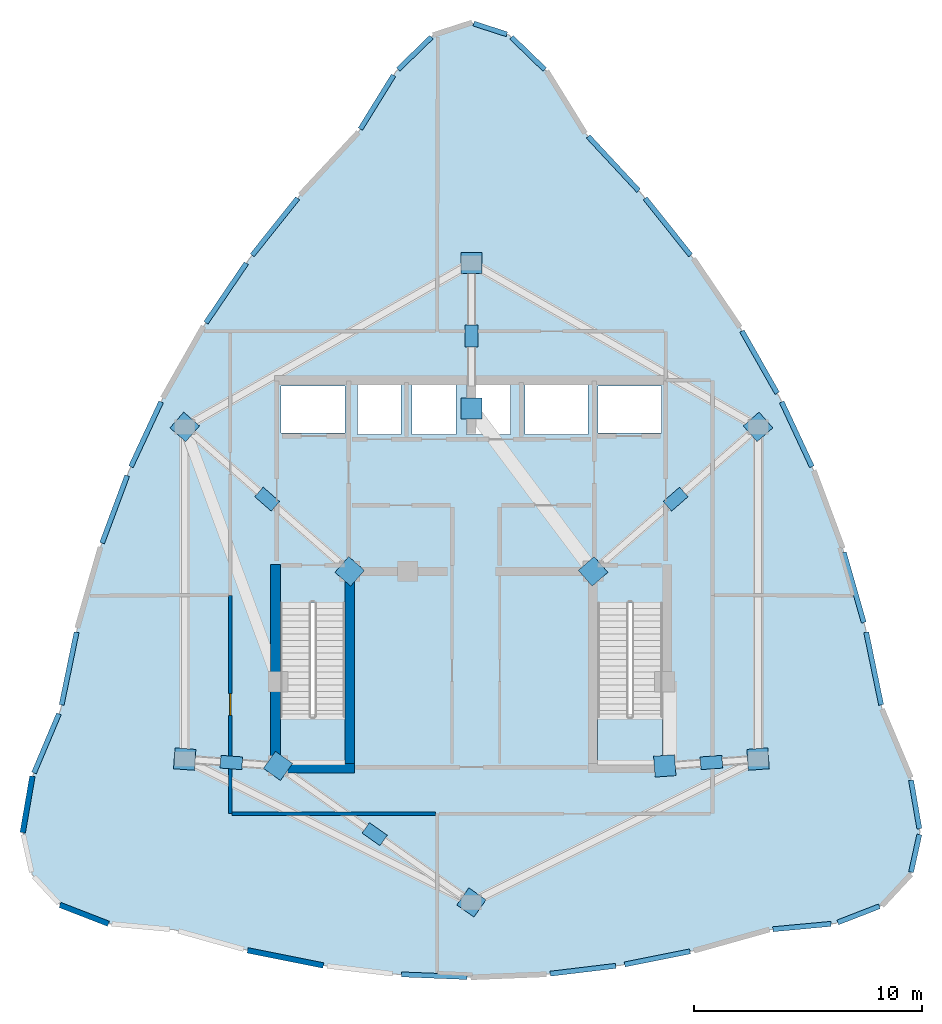
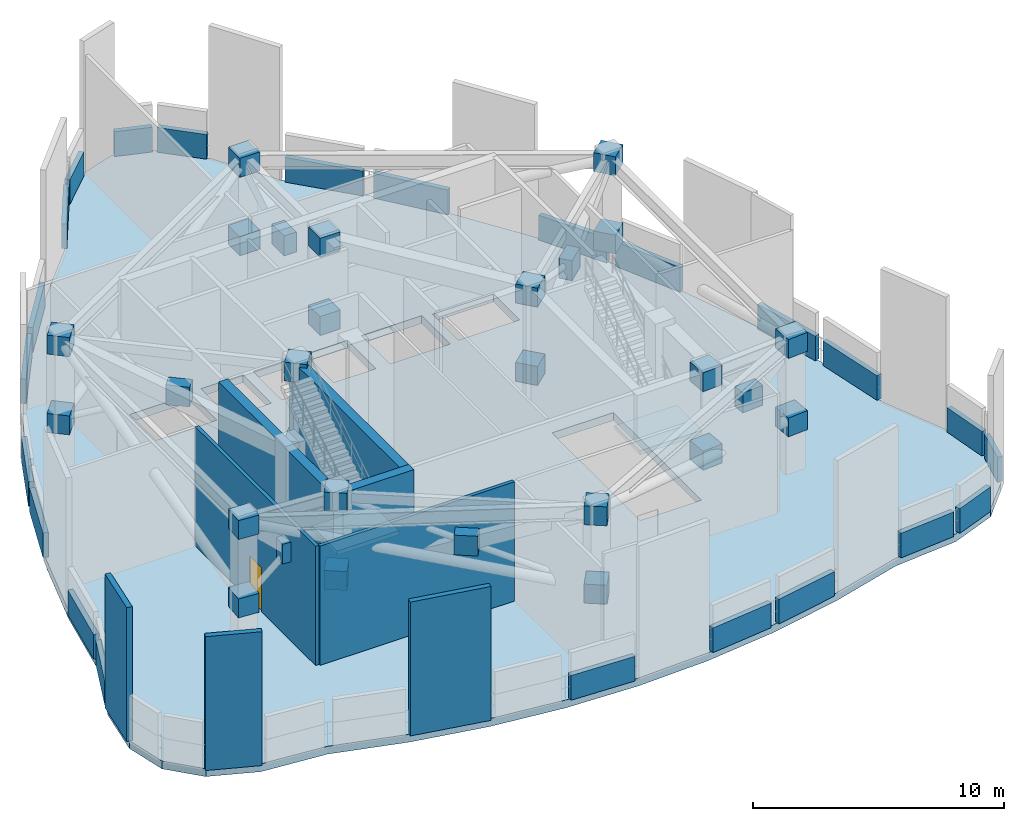
# One storey, part 2 of 8: 51 plates, 8 walls, 3 slabs, 1 door, 1 opening, 2 elements without a shape of their own.
"""IFC4 building model written with IfcOpenShell, lengths in metres."""

from ifc_helpers import new_model, si_unit, direction, frame, frame_2d, origin, origin_2d, place, context, subcontext, project, spatial, polyline, rectangle, outline, extrude, material, layer, layer_set, type_object, element, fill, aggregate, save


model = new_model("IFC4")

# Units and contexts
model_context = context("Model", 3, precision=1e-05, world=origin(), true_north=direction((0.0, 1.0)))
body_context = subcontext(model_context, "Body", "Model", "MODEL_VIEW")
ifc_project = project(units=[si_unit("LENGTHUNIT", "METRE"), si_unit("AREAUNIT", "SQUARE_METRE"), si_unit("VOLUMEUNIT", "CUBIC_METRE"), si_unit("PLANEANGLEUNIT", "RADIAN"), si_unit("MASSUNIT", "GRAM", prefix="KILO")], contexts=[model_context])

# Site, building, storey
site_placement = place(None, origin())
site = spatial("IfcSite", under=ifc_project, at=site_placement, CompositionType="ELEMENT")
building_placement = place(site_placement, origin())
building = spatial("IfcBuilding", under=site, at=building_placement, Name="Miruveldt Soraemaru", CompositionType="ELEMENT")
storey_placement = place(building_placement, frame((0.0, 0.0, 282.800048828125)))
storey = spatial("IfcBuildingStorey", under=building, at=storey_placement, Name="L77", CompositionType="ELEMENT", Elevation=282.800048828125)

# Plates
ifc_material_1 = material(Name="Steel S460 (460 MPa)", Category="steel")
ifc_layer_1 = layer(ifc_material_1, 0.028076171875, Name="Steel S460 (460 MPa)", Category="steel")
ifc_layer_set_1 = layer_set([ifc_layer_1], Name="Steel S460 (460 MPa)")
plate_type_1 = type_object("IfcPlateType", Name="PLT-GUSSET-28", PredefinedType="USERDEFINED", material=ifc_layer_set_1)
plate_1_placement = place(storey_placement, frame((44.0, 54.39990234375, 3.844970703125), z_axis=(0.0, 0.0, 1.0), x_axis=(0.0, 1.0, 0.0)))
element("IfcPlate", 1, at=plate_1_placement, inside=storey, type_object=plate_type_1, Name="L77 Outrigger X-Brace Crossing Gusset Plate 1", ObjectType="GUSSET", PredefinedType="USERDEFINED", context=body_context, shape_type="SweptSolid", body=[
    extrude(rectangle(XDim=0.9599609375, YDim=0.56005859375, at=origin_2d()), origin(), (0.0, 0.0, 1.0), 0.9599609375),
])
for number, where, z_axis, x_axis, name in (
    (2, (44.0, 51.199951171875, 1.9599609375), (0.0, 0.0, 1.0), (0.0, 1.0, 0.0), "L77 Outrigger Node Gusset Plate 1CB"),
    (3, (44.0, 51.199951171875, 5.77001953125), (0.0, 0.0, 1.0), (0.0, 1.0, 0.0), "L77 Outrigger Node Gusset Plate 1CT"),
    (4, (44.0, 57.60009765625, 1.9599609375), (0.0, 0.0, 1.0), (0.0, 1.0, 0.0), "L77 Outrigger Node Gusset Plate 1IB"),
    (5, (44.0, 57.60009765625, 5.77001953125), (0.0, 0.0, 1.0), (0.0, 1.0, 0.0), "L77 Outrigger Node Gusset Plate 1IT"),
):
    element("IfcPlate", number, at=place(storey_placement, frame(where, z_axis=z_axis, x_axis=x_axis)), inside=storey, type_object=plate_type_1, Name=name, ObjectType="GUSSET", PredefinedType="USERDEFINED", context=body_context, shape_type="SweptSolid", body=[
        extrude(rectangle(XDim=0.919921875, YDim=0.919921875, at=origin_2d()), origin(), (0.0, 0.0, 1.0), 0.919921875),
    ])
plate_2_placement = place(storey_placement, frame((52.97509765625, 47.22509765625, 3.844970703125), z_axis=(0.0, 0.0, 1.0), x_axis=(0.752299934438, 0.658820771261, 0.0)))
element("IfcPlate", 6, at=plate_2_placement, inside=storey, type_object=plate_type_1, Name="L77 Outrigger X-Brace Crossing Gusset Plate 2", ObjectType="GUSSET", PredefinedType="USERDEFINED", context=body_context, shape_type="SweptSolid", body=[
    extrude(rectangle(XDim=0.9599609375, YDim=0.56005859375, at=origin_2d()), origin(), (0.0, 0.0, 1.0), 0.9599609375),
])
for number, where, z_axis, x_axis, name in (
    (7, (49.35009765625, 44.050048828125, 1.9599609375), (0.0, 0.0, 1.0), (0.752299934438, 0.658820771261, 0.0), "L77 Outrigger Node Gusset Plate 2CB"),
    (8, (49.35009765625, 44.050048828125, 5.77001953125), (0.0, 0.0, 1.0), (0.752299934438, 0.658820771261, 0.0), "L77 Outrigger Node Gusset Plate 2CT"),
    (9, (56.60009765625, 50.39990234375, 1.9599609375), (0.0, 0.0, 1.0), (0.752299934438, 0.658820771261, 0.0), "L77 Outrigger Node Gusset Plate 2IB"),
    (10, (56.60009765625, 50.39990234375, 5.77001953125), (0.0, 0.0, 1.0), (0.752299934438, 0.658820771261, 0.0), "L77 Outrigger Node Gusset Plate 2IT"),
):
    element("IfcPlate", number, at=place(storey_placement, frame(where, z_axis=z_axis, x_axis=x_axis)), inside=storey, type_object=plate_type_1, Name=name, ObjectType="GUSSET", PredefinedType="USERDEFINED", context=body_context, shape_type="SweptSolid", body=[
        extrude(rectangle(XDim=0.919921875, YDim=0.919921875, at=origin_2d()), origin(), (0.0, 0.0, 1.0), 0.919921875),
    ])
plate_3_placement = place(storey_placement, frame((54.550048828125, 35.64990234375, 3.844970703125), z_axis=(0.0, 0.0, 1.0), x_axis=(0.997339981418, 0.072890064247, 0.0)))
element("IfcPlate", 11, at=plate_3_placement, inside=storey, type_object=plate_type_1, Name="L77 Outrigger X-Brace Crossing Gusset Plate 3", ObjectType="GUSSET", PredefinedType="USERDEFINED", context=body_context, shape_type="SweptSolid", body=[
    extrude(rectangle(XDim=0.9599609375, YDim=0.56005859375, at=origin_2d()), origin(), (0.0, 0.0, 1.0), 0.9599609375),
])
for number, where, z_axis, x_axis, name in (
    (12, (52.5, 35.5, 1.9599609375), (0.0, 0.0, 1.0), (0.997339981418, 0.072890064247, 0.0), "L77 Outrigger Node Gusset Plate 3CB"),
    (13, (52.5, 35.5, 5.77001953125), (0.0, 0.0, 1.0), (0.997339981418, 0.072890064247, 0.0), "L77 Outrigger Node Gusset Plate 3CT"),
    (14, (56.60009765625, 35.800048828125, 1.9599609375), (0.0, 0.0, 1.0), (0.997339981418, 0.072890064247, 0.0), "L77 Outrigger Node Gusset Plate 3IB"),
    (15, (56.60009765625, 35.800048828125, 5.77001953125), (0.0, 0.0, 1.0), (0.997339981418, 0.072890064247, 0.0), "L77 Outrigger Node Gusset Plate 3IT"),
):
    element("IfcPlate", number, at=place(storey_placement, frame(where, z_axis=z_axis, x_axis=x_axis)), inside=storey, type_object=plate_type_1, Name=name, ObjectType="GUSSET", PredefinedType="USERDEFINED", context=body_context, shape_type="SweptSolid", body=[
        extrude(rectangle(XDim=0.919921875, YDim=0.919921875, at=origin_2d()), origin(), (0.0, 0.0, 1.0), 0.919921875),
    ])
plate_4_placement = place(storey_placement, frame((39.75, 32.5, 3.844970703125), z_axis=(0.0, 0.0, 1.0), x_axis=(0.816943635719, -0.576717518425, 0.0)))
element("IfcPlate", 16, at=plate_4_placement, inside=storey, type_object=plate_type_1, Name="L77 Outrigger X-Brace Crossing Gusset Plate 4", ObjectType="GUSSET", PredefinedType="USERDEFINED", context=body_context, shape_type="SweptSolid", body=[
    extrude(rectangle(XDim=0.9599609375, YDim=0.56005859375, at=origin_2d()), origin(), (0.0, 0.0, 1.0), 0.9599609375),
])
for number, where, z_axis, x_axis, name in (
    (17, (35.5, 35.5, 1.9599609375), (0.0, 0.0, 1.0), (0.816943635719, -0.576717518425, 0.0), "L77 Outrigger Node Gusset Plate 4CB"),
    (18, (35.5, 35.5, 5.77001953125), (0.0, 0.0, 1.0), (0.816943635719, -0.576717518425, 0.0), "L77 Outrigger Node Gusset Plate 4CT"),
    (19, (44.0, 29.5, 1.9599609375), (0.0, 0.0, 1.0), (0.816943635719, -0.576717518425, 0.0), "L77 Outrigger Node Gusset Plate 4IB"),
    (20, (44.0, 29.5, 5.77001953125), (0.0, 0.0, 1.0), (0.816943635719, -0.576717518425, 0.0), "L77 Outrigger Node Gusset Plate 4IT"),
):
    element("IfcPlate", number, at=place(storey_placement, frame(where, z_axis=z_axis, x_axis=x_axis)), inside=storey, type_object=plate_type_1, Name=name, ObjectType="GUSSET", PredefinedType="USERDEFINED", context=body_context, shape_type="SweptSolid", body=[
        extrude(rectangle(XDim=0.919921875, YDim=0.919921875, at=origin_2d()), origin(), (0.0, 0.0, 1.0), 0.919921875),
    ])
plate_5_placement = place(storey_placement, frame((33.449951171875, 35.64990234375, 3.844970703125), z_axis=(0.0, 0.0, 1.0), x_axis=(-0.997339981418, 0.072890064247, 0.0)))
element("IfcPlate", 21, at=plate_5_placement, inside=storey, type_object=plate_type_1, Name="L77 Outrigger X-Brace Crossing Gusset Plate 5", ObjectType="GUSSET", PredefinedType="USERDEFINED", context=body_context, shape_type="SweptSolid", body=[
    extrude(rectangle(XDim=0.9599609375, YDim=0.56005859375, at=origin_2d()), origin(), (0.0, 0.0, 1.0), 0.9599609375),
])
for number, where, z_axis, x_axis, name in (
    (22, (31.39990234375, 35.800048828125, 1.9599609375), (0.0, 0.0, 1.0), (-0.997339981418, 0.072890064247, 0.0), "L77 Outrigger Node Gusset Plate 5IB"),
    (23, (31.39990234375, 35.800048828125, 5.77001953125), (0.0, 0.0, 1.0), (-0.997339981418, 0.072890064247, 0.0), "L77 Outrigger Node Gusset Plate 5IT"),
):
    element("IfcPlate", number, at=place(storey_placement, frame(where, z_axis=z_axis, x_axis=x_axis)), inside=storey, type_object=plate_type_1, Name=name, ObjectType="GUSSET", PredefinedType="USERDEFINED", context=body_context, shape_type="SweptSolid", body=[
        extrude(rectangle(XDim=0.919921875, YDim=0.919921875, at=origin_2d()), origin(), (0.0, 0.0, 1.0), 0.919921875),
    ])
plate_6_placement = place(storey_placement, frame((35.02490234375, 47.22509765625, 3.844970703125), z_axis=(0.0, 0.0, 1.0), x_axis=(-0.752299934438, 0.658820771261, 0.0)))
element("IfcPlate", 24, at=plate_6_placement, inside=storey, type_object=plate_type_1, Name="L77 Outrigger X-Brace Crossing Gusset Plate 6", ObjectType="GUSSET", PredefinedType="USERDEFINED", context=body_context, shape_type="SweptSolid", body=[
    extrude(rectangle(XDim=0.9599609375, YDim=0.56005859375, at=origin_2d()), origin(), (0.0, 0.0, 1.0), 0.9599609375),
])
for number, where, z_axis, x_axis, name in (
    (25, (38.64990234375, 44.050048828125, 1.9599609375), (0.0, 0.0, 1.0), (-0.752299934438, 0.658820771261, 0.0), "L77 Outrigger Node Gusset Plate 6CB"),
    (26, (38.64990234375, 44.050048828125, 5.77001953125), (0.0, 0.0, 1.0), (-0.752299934438, 0.658820771261, 0.0), "L77 Outrigger Node Gusset Plate 6CT"),
    (27, (31.39990234375, 50.39990234375, 1.9599609375), (0.0, 0.0, 1.0), (-0.752299934438, 0.658820771261, 0.0), "L77 Outrigger Node Gusset Plate 6IB"),
    (28, (31.39990234375, 50.39990234375, 5.77001953125), (0.0, 0.0, 1.0), (-0.752299934438, 0.658820771261, 0.0), "L77 Outrigger Node Gusset Plate 6IT"),
):
    element("IfcPlate", number, at=place(storey_placement, frame(where, z_axis=z_axis, x_axis=x_axis)), inside=storey, type_object=plate_type_1, Name=name, ObjectType="GUSSET", PredefinedType="USERDEFINED", context=body_context, shape_type="SweptSolid", body=[
        extrude(rectangle(XDim=0.919921875, YDim=0.919921875, at=origin_2d()), origin(), (0.0, 0.0, 1.0), 0.919921875),
    ])
ifc_material_2 = material(Name="Anodised aluminium EN AW-6063 T6", Category="aluminium")
ifc_layer_2 = layer(ifc_material_2, 0.02001953125, Name="Anodised aluminium EN AW-6063 T6", Category="aluminium")
ifc_layer_set_2 = layer_set([ifc_layer_2], Name="Anodised aluminium EN AW-6063 T6")
plate_type_2 = type_object("IfcPlateType", Name="PLT-SHROUD-20", PredefinedType="USERDEFINED", material=ifc_layer_set_2)
plate_7_placement = place(storey_placement, frame((46.490234375, 66.8193359375, 0.0), z_axis=(0.0, 0.0, 1.0), x_axis=(-0.717810428625, 0.696238600306, 0.0)))
element("IfcPlate", 29, at=plate_7_placement, inside=storey, type_object=plate_type_2, Name="L77 Venturi Wind-Turbine Acoustic Shroud 2", ObjectType="ACOUSTIC SHROUD", PredefinedType="USERDEFINED", context=body_context, shape_type="SweptSolid", body=[
    extrude(rectangle(XDim=2.035400390625, YDim=0.219970703125, at=origin_2d()), origin(), (0.0, 0.0, 1.0), 1.199951171875),
])
plate_8_placement = place(storey_placement, frame((44.830078125, 67.892822265625, 0.0), z_axis=(0.0, 0.0, 1.0), x_axis=(-0.951508536618, 0.3076223411, 0.0)))
element("IfcPlate", 30, at=plate_8_placement, inside=storey, type_object=plate_type_2, Name="L77 Venturi Wind-Turbine Acoustic Shroud 3", ObjectType="ACOUSTIC SHROUD", PredefinedType="USERDEFINED", context=body_context, shape_type="SweptSolid", body=[
    extrude(rectangle(XDim=1.535400390625, YDim=0.219970703125, at=origin_2d()), origin(), (0.0, 0.0, 1.0), 1.199951171875),
])
plate_9_placement = place(storey_placement, frame((41.509765625, 66.8193359375, 0.0), z_axis=(0.0, 0.0, 1.0), x_axis=(-0.717810428625, -0.696238600306, 0.0)))
element("IfcPlate", 31, at=plate_9_placement, inside=storey, type_object=plate_type_2, Name="L77 Venturi Wind-Turbine Acoustic Shroud 5", ObjectType="ACOUSTIC SHROUD", PredefinedType="USERDEFINED", context=body_context, shape_type="SweptSolid", body=[
    extrude(rectangle(XDim=2.035400390625, YDim=0.219970703125, at=origin_2d()), origin(), (0.0, 0.0, 1.0), 1.199951171875),
])
plate_10_placement = place(storey_placement, frame((39.849609375, 64.67236328125, 0.0), z_axis=(0.0, 0.0, 1.0), x_axis=(-0.526065501177, -0.850444053699, 0.0)))
element("IfcPlate", 32, at=plate_10_placement, inside=storey, type_object=plate_type_2, Name="L77 Venturi Wind-Turbine Acoustic Shroud 6", ObjectType="ACOUSTIC SHROUD", PredefinedType="USERDEFINED", context=body_context, shape_type="SweptSolid", body=[
    extrude(rectangle(XDim=2.777099609375, YDim=0.219970703125, at=origin_2d()), origin(), (0.0, 0.0, 1.0), 1.199951171875),
])
plate_11_placement = place(storey_placement, frame((35.363037109375, 59.19580078125, 0.0), z_axis=(0.0, 0.0, 1.0), x_axis=(-0.623634044029, -0.781716431405, 0.0)))
element("IfcPlate", 33, at=plate_11_placement, inside=storey, type_object=plate_type_2, Name="L77 Venturi Wind-Turbine Acoustic Shroud 8", ObjectType="ACOUSTIC SHROUD", PredefinedType="USERDEFINED", context=body_context, shape_type="SweptSolid", body=[
    extrude(rectangle(XDim=3.201171875, YDim=0.219970703125, at=origin_2d()), origin(), (0.0, 0.0, 1.0), 1.199951171875),
])
plate_12_placement = place(storey_placement, frame((33.221435546875, 56.28662109375, 0.0), z_axis=(0.0, 0.0, 1.0), x_axis=(-0.560826861061, -0.827933108356, 0.0)))
element("IfcPlate", 34, at=plate_12_placement, inside=storey, type_object=plate_type_2, Name="L77 Venturi Wind-Turbine Acoustic Shroud 9", ObjectType="ACOUSTIC SHROUD", PredefinedType="USERDEFINED", context=body_context, shape_type="SweptSolid", body=[
    extrude(rectangle(XDim=3.16162109375, YDim=0.219970703125, at=origin_2d()), origin(), (0.0, 0.0, 1.0), 1.199951171875),
])
plate_13_placement = place(storey_placement, frame((29.698974609375, 50.075927734375, 0.0), z_axis=(0.0, 0.0, 1.0), x_axis=(-0.422301874901, -0.906455253421, 0.0)))
element("IfcPlate", 35, at=plate_13_placement, inside=storey, type_object=plate_type_2, Name="L77 Venturi Wind-Turbine Acoustic Shroud 11", ObjectType="ACOUSTIC SHROUD", PredefinedType="USERDEFINED", context=body_context, shape_type="SweptSolid", body=[
    extrude(rectangle(XDim=3.1416015625, YDim=0.219970703125, at=origin_2d()), origin(), (0.0, 0.0, 1.0), 1.199951171875),
])
plate_14_placement = place(storey_placement, frame((28.318115234375, 46.774658203125, 0.0), z_axis=(0.0, 0.0, 1.0), x_axis=(-0.349046403698, -0.937105441274, 0.0)))
element("IfcPlate", 36, at=plate_14_placement, inside=storey, type_object=plate_type_2, Name="L77 Venturi Wind-Turbine Acoustic Shroud 12", ObjectType="ACOUSTIC SHROUD", PredefinedType="USERDEFINED", context=body_context, shape_type="SweptSolid", body=[
    extrude(rectangle(XDim=3.16162109375, YDim=0.219970703125, at=origin_2d()), origin(), (0.0, 0.0, 1.0), 1.199951171875),
])
plate_15_placement = place(storey_placement, frame((26.3173828125, 39.77978515625, 0.0), z_axis=(0.0, 0.0, 1.0), x_axis=(-0.201556607891, -0.979476867422, 0.0)))
element("IfcPlate", 37, at=plate_15_placement, inside=storey, type_object=plate_type_2, Name="L77 Venturi Wind-Turbine Acoustic Shroud 14", ObjectType="ACOUSTIC SHROUD", PredefinedType="USERDEFINED", context=body_context, shape_type="SweptSolid", body=[
    extrude(rectangle(XDim=3.259765625, YDim=0.219970703125, at=origin_2d()), origin(), (0.0, 0.0, 1.0), 1.199951171875),
])
plate_16_placement = place(storey_placement, frame((25.321533203125, 36.489501953125, 0.0), z_axis=(0.0, 0.0, 1.0), x_axis=(-0.38860940249, -0.921402589695, 0.0)))
element("IfcPlate", 38, at=plate_16_placement, inside=storey, type_object=plate_type_2, Name="L77 Venturi Wind-Turbine Acoustic Shroud 15", ObjectType="ACOUSTIC SHROUD", PredefinedType="USERDEFINED", context=body_context, shape_type="SweptSolid", body=[
    extrude(rectangle(XDim=2.819580078125, YDim=0.219970703125, at=origin_2d()), origin(), (0.0, 0.0, 1.0), 1.199951171875),
])
plate_17_placement = place(storey_placement, frame((42.365478515625, 26.27734375, 0.0), z_axis=(0.0, 0.0, 1.0), x_axis=(0.999200686675, -0.03997483895, 0.0)))
element("IfcPlate", 39, at=plate_17_placement, inside=storey, type_object=plate_type_2, Name="L77 Venturi Wind-Turbine Acoustic Shroud 24", ObjectType="ACOUSTIC SHROUD", PredefinedType="USERDEFINED", context=body_context, shape_type="SweptSolid", body=[
    extrude(rectangle(XDim=2.87890625, YDim=0.219970703125, at=origin_2d()), origin(), (0.0, 0.0, 1.0), 1.199951171875),
])
plate_18_placement = place(storey_placement, frame((48.9033203125, 26.538818359375, 0.0), z_axis=(0.0, 0.0, 1.0), x_axis=(0.992876367296, 0.119149147143, 0.0)))
element("IfcPlate", 40, at=plate_18_placement, inside=storey, type_object=plate_type_2, Name="L77 Venturi Wind-Turbine Acoustic Shroud 26", ObjectType="ACOUSTIC SHROUD", PredefinedType="USERDEFINED", context=body_context, shape_type="SweptSolid", body=[
    extrude(rectangle(XDim=2.897216796875, YDim=0.219970703125, at=origin_2d()), origin(), (0.0, 0.0, 1.0), 1.199951171875),
])
plate_19_placement = place(storey_placement, frame((52.172119140625, 27.061767578125, 0.0), z_axis=(0.0, 0.0, 1.0), x_axis=(0.980583867301, 0.196100176415, 0.0)))
element("IfcPlate", 41, at=plate_19_placement, inside=storey, type_object=plate_type_2, Name="L77 Venturi Wind-Turbine Acoustic Shroud 27", ObjectType="ACOUSTIC SHROUD", PredefinedType="USERDEFINED", context=body_context, shape_type="SweptSolid", body=[
    extrude(rectangle(XDim=2.93359375, YDim=0.219970703125, at=origin_2d()), origin(), (0.0, 0.0, 1.0), 1.199951171875),
])
plate_20_placement = place(storey_placement, frame((58.528076171875, 28.438232421875, 0.0), z_axis=(0.0, 0.0, 1.0), x_axis=(0.995760092541, 0.091988249809, 0.0)))
element("IfcPlate", 42, at=plate_20_placement, inside=storey, type_object=plate_type_2, Name="L77 Venturi Wind-Turbine Acoustic Shroud 29", ObjectType="ACOUSTIC SHROUD", PredefinedType="USERDEFINED", context=body_context, shape_type="SweptSolid", body=[
    extrude(rectangle(XDim=2.5673828125, YDim=0.219970703125, at=origin_2d()), origin(), (0.0, 0.0, 1.0), 1.199951171875),
])
plate_21_placement = place(storey_placement, frame((61.018310546875, 28.974853515625, 0.0), z_axis=(0.0, 0.0, 1.0), x_axis=(0.932298552786, 0.361689657681, 0.0)))
element("IfcPlate", 43, at=plate_21_placement, inside=storey, type_object=plate_type_2, Name="L77 Venturi Wind-Turbine Acoustic Shroud 30", ObjectType="ACOUSTIC SHROUD", PredefinedType="USERDEFINED", context=body_context, shape_type="SweptSolid", body=[
    extrude(rectangle(XDim=1.958740234375, YDim=0.219970703125, at=origin_2d()), origin(), (0.0, 0.0, 1.0), 1.199951171875),
])
plate_22_placement = place(storey_placement, frame((63.50830078125, 31.65869140625, 0.0), z_axis=(0.0, 0.0, 1.0), x_axis=(0.215757978057, 0.976446872546, 0.0)))
element("IfcPlate", 44, at=plate_22_placement, inside=storey, type_object=plate_type_2, Name="L77 Venturi Wind-Turbine Acoustic Shroud 32", ObjectType="ACOUSTIC SHROUD", PredefinedType="USERDEFINED", context=body_context, shape_type="SweptSolid", body=[
    extrude(rectangle(XDim=1.693115234375, YDim=0.219970703125, at=origin_2d()), origin(), (0.0, 0.0, 1.0), 1.199951171875),
])
plate_23_placement = place(storey_placement, frame((63.50830078125, 33.8056640625, 0.0), z_axis=(0.0, 0.0, 1.0), x_axis=(-0.169366705021, 0.985553103202, 0.0)))
element("IfcPlate", 45, at=plate_23_placement, inside=storey, type_object=plate_type_2, Name="L77 Venturi Wind-Turbine Acoustic Shroud 33", ObjectType="ACOUSTIC SHROUD", PredefinedType="USERDEFINED", context=body_context, shape_type="SweptSolid", body=[
    extrude(rectangle(XDim=2.15673828125, YDim=0.219970703125, at=origin_2d()), origin(), (0.0, 0.0, 1.0), 1.199951171875),
])
plate_24_placement = place(storey_placement, frame((61.6826171875, 39.77978515625, 0.0), z_axis=(0.0, 0.0, 1.0), x_axis=(-0.201556607891, 0.979476867422, 0.0)))
element("IfcPlate", 46, at=plate_24_placement, inside=storey, type_object=plate_type_2, Name="L77 Venturi Wind-Turbine Acoustic Shroud 35", ObjectType="ACOUSTIC SHROUD", PredefinedType="USERDEFINED", context=body_context, shape_type="SweptSolid", body=[
    extrude(rectangle(XDim=3.259765625, YDim=0.219970703125, at=origin_2d()), origin(), (0.0, 0.0, 1.0), 1.199951171875),
])
plate_25_placement = place(storey_placement, frame((60.80908203125, 43.342529296875, 0.0), z_axis=(0.0, 0.0, 1.0), x_axis=(-0.274982981932, 0.961449093633, 0.0)))
element("IfcPlate", 47, at=plate_25_placement, inside=storey, type_object=plate_type_2, Name="L77 Venturi Wind-Turbine Acoustic Shroud 36", ObjectType="ACOUSTIC SHROUD", PredefinedType="USERDEFINED", context=body_context, shape_type="SweptSolid", body=[
    extrude(rectangle(XDim=3.201171875, YDim=0.219970703125, at=origin_2d()), origin(), (0.0, 0.0, 1.0), 1.199951171875),
])
for number, where, z_axis, x_axis, name in (
    (48, (58.301025390625, 50.075927734375, 0.0), (0.0, 0.0, 1.0), (-0.422301874901, 0.906455253421, 0.0), "L77 Venturi Wind-Turbine Acoustic Shroud 38"),
    (49, (56.666748046875, 53.24658203125, 0.0), (0.0, 0.0, 1.0), (-0.493334724289, 0.869839554062, 0.0), "L77 Venturi Wind-Turbine Acoustic Shroud 39"),
):
    element("IfcPlate", number, at=place(storey_placement, frame(where, z_axis=z_axis, x_axis=x_axis)), inside=storey, type_object=plate_type_2, Name=name, ObjectType="ACOUSTIC SHROUD", PredefinedType="USERDEFINED", context=body_context, shape_type="SweptSolid", body=[
        extrude(rectangle(XDim=3.1416015625, YDim=0.219970703125, at=origin_2d()), origin(), (0.0, 0.0, 1.0), 1.199951171875),
    ])
plate_26_placement = place(storey_placement, frame((52.636962890625, 59.19580078125, 0.0), z_axis=(0.0, 0.0, 1.0), x_axis=(-0.623634044029, 0.781716431405, 0.0)))
element("IfcPlate", 50, at=plate_26_placement, inside=storey, type_object=plate_type_2, Name="L77 Venturi Wind-Turbine Acoustic Shroud 41", ObjectType="ACOUSTIC SHROUD", PredefinedType="USERDEFINED", context=body_context, shape_type="SweptSolid", body=[
    extrude(rectangle(XDim=3.201171875, YDim=0.219970703125, at=origin_2d()), origin(), (0.0, 0.0, 1.0), 1.199951171875),
])
plate_27_placement = place(storey_placement, frame((50.241455078125, 61.97412109375, 0.0), z_axis=(0.0, 0.0, 1.0), x_axis=(-0.680887060147, 0.732388429267, 0.0)))
element("IfcPlate", 51, at=plate_27_placement, inside=storey, type_object=plate_type_2, Name="L77 Venturi Wind-Turbine Acoustic Shroud 42", ObjectType="ACOUSTIC SHROUD", PredefinedType="USERDEFINED", context=body_context, shape_type="SweptSolid", body=[
    extrude(rectangle(XDim=3.259765625, YDim=0.219970703125, at=origin_2d()), origin(), (0.0, 0.0, 1.0), 1.199951171875),
])

# Stair, slab
ifc_material_3 = material(Name="Concrete C40/50 (40 MPa)", Category="concrete")
stair_type = type_object("IfcStairType", Name="STAIR-DL-680", PredefinedType="HALF_TURN_STAIR", material=ifc_material_3)
stair_1_placement = place(storey_placement, origin())
stair_1 = element("IfcStair", 52, at=stair_1_placement, inside=storey, type_object=stair_type, Name="L77 Protected Exit Stair ST-1", PredefinedType="HALF_TURN_STAIR")
ifc_layer_3 = layer(ifc_material_3, 0.199951171875, Name="Concrete C40/50 (40 MPa)", Category="concrete")
ifc_layer_set_3 = layer_set([ifc_layer_3], Name="Concrete C40/50 (40 MPa)")
slab_type_1 = type_object("IfcSlabType", Name="SLAB-LAND-200", PredefinedType="LANDING", material=ifc_layer_set_3)
slab_1_placement = place(storey_placement, frame((0.0, 0.0, 3.199951171875)))
slab_1 = element("IfcSlab", 53, at=slab_1_placement, type_object=slab_type_1, Name="ST-1 landing 1", PredefinedType="LANDING", context=body_context, shape_type="SweptSolid", body=[
    extrude(outline(polyline([(35.60009765625, 37.677978515625), (35.60009765625, 35.64990234375), (38.449951171875, 35.64990234375), (38.449951171875, 37.677978515625), (35.60009765625, 37.677978515625)])), origin(), (0.0, 0.0, 1.0), 0.199951171875),
])
aggregate(stair_1, [slab_1])

stair_2_placement = place(storey_placement, origin())
stair_2 = element("IfcStair", 54, at=stair_2_placement, inside=storey, type_object=stair_type, Name="L77 Protected Exit Stair ST-2", PredefinedType="HALF_TURN_STAIR")
slab_2_placement = place(storey_placement, frame((0.0, 0.0, 3.199951171875)))
slab_2 = element("IfcSlab", 55, at=slab_2_placement, type_object=slab_type_1, Name="ST-2 landing 1", PredefinedType="LANDING", context=body_context, shape_type="SweptSolid", body=[
    extrude(outline(polyline([(49.550048828125, 37.677978515625), (49.550048828125, 35.64990234375), (52.39990234375, 35.64990234375), (52.39990234375, 37.677978515625), (49.550048828125, 37.677978515625)])), origin(), (0.0, 0.0, 1.0), 0.199951171875),
])
aggregate(stair_2, [slab_2])

# Slab
ifc_material_4 = material(Name="Concrete C50/60 (50 MPa)", Category="concrete")
ifc_layer_4 = layer(ifc_material_4, 0.3798828125, Name="Concrete C50/60 (50 MPa)", Category="concrete")
ifc_layer_set_4 = layer_set([ifc_layer_4], Name="Concrete C50/60 (50 MPa)")
slab_type_2 = type_object("IfcSlabType", Name="SLAB-PLNT-380", PredefinedType="FLOOR", material=ifc_layer_set_4)
slab_3_placement = place(storey_placement, frame((0.0, 0.0, -0.380126953125)))
element("IfcSlab", 56, at=slab_3_placement, inside=storey, type_object=slab_type_2, Name="L77 Structural Floor Slab", PredefinedType="FLOOR", context=body_context, shape_type="SweptSolid", body=[
    extrude(outline(polyline([(51.502685546875, 60.617431640625), (53.771240234375, 57.773681640625), (55.7861328125, 54.79931640625), (57.54736328125, 51.694091796875), (59.054931640625, 48.4580078125), (60.308837890625, 45.09130859375), (61.30908203125, 41.59375), (62.055908203125, 37.965576171875), (63.30078125, 35.013427734375), (63.716064453125, 32.597900390625), (63.30078125, 30.719482421875), (62.055908203125, 29.37744140625), (59.980712890625, 28.572509765625), (57.075439453125, 28.303955078125), (53.806396484375, 27.388671875), (50.53759765625, 26.735107421875), (47.268798828125, 26.3427734375), (44.0, 26.2119140625), (40.731201171875, 26.3427734375), (37.46240234375, 26.735107421875), (34.193603515625, 27.388671875), (30.924560546875, 28.303955078125), (28.019287109375, 28.572509765625), (25.944091796875, 29.37744140625), (24.69921875, 30.719482421875), (24.283935546875, 32.597900390625), (24.69921875, 35.013427734375), (25.944091796875, 37.965576171875), (26.69091796875, 41.59375), (27.691162109375, 45.09130859375), (28.945068359375, 48.4580078125), (30.45263671875, 51.694091796875), (32.2138671875, 54.79931640625), (34.228759765625, 57.773681640625), (36.497314453125, 60.617431640625), (39.01953125, 63.33056640625), (40.6796875, 66.01416015625), (42.33984375, 67.62451171875), (44.0, 68.1611328125), (45.66015625, 67.62451171875), (47.3203125, 66.01416015625), (48.98046875, 63.33056640625), (51.502685546875, 60.617431640625)]), holes=[polyline([(35.614990234375, 35.6650390625), (38.43505859375, 35.6650390625), (38.43505859375, 42.68505859375), (35.614990234375, 42.68505859375), (35.614990234375, 35.6650390625)]), polyline([(49.56494140625, 35.6650390625), (52.385009765625, 35.6650390625), (52.385009765625, 42.68505859375), (49.56494140625, 42.68505859375), (49.56494140625, 35.6650390625)]), polyline([(38.445068359375, 50.135009765625), (38.445068359375, 52.205078125), (35.635009765625, 52.205078125), (35.635009765625, 50.135009765625), (38.445068359375, 50.135009765625)]), polyline([(52.364990234375, 50.135009765625), (52.364990234375, 52.205078125), (49.554931640625, 52.205078125), (49.554931640625, 50.135009765625), (52.364990234375, 50.135009765625)]), polyline([(40.9150390625, 50.06494140625), (40.9150390625, 52.3349609375), (38.985107421875, 52.3349609375), (38.985107421875, 50.06494140625), (40.9150390625, 50.06494140625)]), polyline([(43.31494140625, 50.06494140625), (43.31494140625, 52.3349609375), (41.385009765625, 52.3349609375), (41.385009765625, 50.06494140625), (43.31494140625, 50.06494140625)]), polyline([(45.715087890625, 50.06494140625), (45.715087890625, 52.3349609375), (43.784912109375, 52.3349609375), (43.784912109375, 50.06494140625), (45.715087890625, 50.06494140625)]), polyline([(49.135009765625, 50.06494140625), (49.135009765625, 52.3349609375), (46.364990234375, 52.3349609375), (46.364990234375, 50.06494140625), (49.135009765625, 50.06494140625)])]), origin(), (0.0, 0.0, 1.0), 0.380126953125),
])

# Walls
ifc_layer_5 = layer(ifc_material_4, 0.419921875, Name="Concrete C50/60 (50 MPa)", Category="concrete")
ifc_layer_set_5 = layer_set([ifc_layer_5], Name="Concrete C50/60 (50 MPa)")
wall_type_1 = type_object("IfcWallType", Name="WALL-CW-420", PredefinedType="SHEAR", material=ifc_layer_set_5)
wall_1_placement = place(storey_placement, frame((35.179931640625, 35.389892578125, 0.0), z_axis=(0.0, 0.0, 1.0), x_axis=(1.0, 0.0, 0.0)))
element("IfcWall", 57, at=wall_1_placement, inside=storey, type_object=wall_type_1, Name="L77 Central Core Shear Wall S1", PredefinedType="SHEAR", context=body_context, shape_type="SweptSolid", body=[
    extrude(rectangle(XDim=3.690185546875, YDim=0.419921875, at=frame_2d((1.84521484375, 0.0))), origin(), (0.0, 0.0, 1.0), 6.510009765625),
])
wall_2_placement = place(storey_placement, frame((35.389892578125, 35.179931640625, 0.0), z_axis=(0.0, 0.0, 1.0), x_axis=(0.0, 1.0, 0.0)))
element("IfcWall", 58, at=wall_2_placement, inside=storey, type_object=wall_type_1, Name="L77 Central Core Shear Wall W1", PredefinedType="SHEAR", context=body_context, shape_type="SweptSolid", body=[
    extrude(rectangle(XDim=9.170166015625, YDim=0.419921875, at=frame_2d((4.5849609375, 0.0))), origin(), (0.0, 0.0, 1.0), 6.510009765625),
])
wall_3_placement = place(storey_placement, frame((38.659912109375, 35.39990234375, 0.0), z_axis=(0.0, 0.0, 1.0), x_axis=(0.0, 1.0, 0.0)))
element("IfcWall", 59, at=wall_3_placement, inside=storey, type_object=wall_type_1, Name="L77 Central Core Shear Wall SW-INT", PredefinedType="SHEAR", context=body_context, shape_type="SweptSolid", body=[
    extrude(rectangle(XDim=8.9501953125, YDim=0.419921875, at=frame_2d((4.47509765625, 0.0))), origin(), (0.0, 0.0, 1.0), 6.510009765625),
])
ifc_material_5 = material(Name="Precast concrete C45/55 (45 MPa)", Category="concrete")
ifc_layer_6 = layer(ifc_material_5, 0.239990234375, Name="Precast concrete C45/55 (45 MPa)", Category="concrete")
ifc_layer_set_6 = layer_set([ifc_layer_6], Name="Precast concrete C45/55 (45 MPa)")
wall_type_2 = type_object("IfcWallType", Name="WALL-EXT-PC240", PredefinedType="SOLIDWALL", material=ifc_layer_set_6)
wall_4_placement = place(storey_placement, frame((24.7041015625, 35.04296875, 0.0), z_axis=(0.0, 0.0, 1.0), x_axis=(-0.169379410238, -0.985550919733, 0.0)))
element("IfcWall", 60, at=wall_4_placement, inside=storey, type_object=wall_type_2, Name="L77 Turbine Slot Pier Wall 16", PredefinedType="SOLIDWALL", context=body_context, shape_type="SweptSolid", body=[
    extrude(rectangle(XDim=2.510986328125, YDim=0.239990234375, at=frame_2d((1.25537109375, 0.0))), origin(), (0.0, 0.0, 1.0), 6.510009765625),
])
wall_5_placement = place(storey_placement, frame((25.916259765625, 29.388427734375, 0.0), z_axis=(0.0, 0.0, 1.0), x_axis=(0.932278998154, -0.361740058053, 0.0)))
element("IfcWall", 61, at=wall_5_placement, inside=storey, type_object=wall_type_2, Name="L77 Turbine Slot Pier Wall 19", PredefinedType="SOLIDWALL", context=body_context, shape_type="SweptSolid", body=[
    extrude(rectangle(XDim=2.285888671875, YDim=0.239990234375, at=frame_2d((1.14306640625, 0.0))), origin(), (0.0, 0.0, 1.0), 6.510009765625),
])
wall_6_placement = place(storey_placement, frame((34.1640625, 27.39453125, 0.0), z_axis=(0.0, 0.0, 1.0), x_axis=(0.980580675691, -0.196116135138, 0.0)))
element("IfcWall", 62, at=wall_6_placement, inside=storey, type_object=wall_type_2, Name="L77 Turbine Slot Pier Wall 22", PredefinedType="SOLIDWALL", context=body_context, shape_type="SweptSolid", body=[
    extrude(rectangle(XDim=3.3935546875, YDim=0.239990234375, at=frame_2d((1.69677734375, 0.0))), origin(), (0.0, 0.0, 1.0), 6.510009765625),
])

# Wall, opening, door
ifc_layer_7 = layer(ifc_material_3, 0.159912109375, Name="Concrete C40/50 (40 MPa)", Category="concrete")
ifc_layer_set_7 = layer_set([ifc_layer_7], Name="Concrete C40/50 (40 MPa)")
wall_type_3 = type_object("IfcWallType", Name="WALL-INT-RC160", PredefinedType="SOLIDWALL", material=ifc_layer_set_7)
wall_7_placement = place(storey_placement, frame((33.39990234375, 43.0, 0.0), z_axis=(0.0, 0.0, 1.0), x_axis=(0.0, -1.0, 0.0)))
wall_7 = element("IfcWall", 63, at=wall_7_placement, inside=storey, type_object=wall_type_3, Name="L77 Partition Wall 1", PredefinedType="SOLIDWALL", context=body_context, shape_type="SweptSolid", body=[
    extrude(rectangle(XDim=9.60009765625, YDim=0.159912109375, at=frame_2d((4.800048828125, 0.0))), origin(), (0.0, 0.0, 1.0), 5.7978515625),
])
opening_placement = place(wall_7_placement, frame((4.324951171875, 0.0, 0.0)))
opening = element("IfcOpeningElement", 64, at=opening_placement, cuts=wall_7, Name="Opening FD2", PredefinedType="OPENING", context=body_context, shape_type="SweptSolid", body=[
    extrude(rectangle(XDim=0.949951171875, YDim=2.14990234375, at=frame_2d((0.47509765625, 1.074951171875))), frame((0.0, 0.08984375, 0.0), z_axis=(0.0, -1.0, 0.0), x_axis=(1.0, 0.0, 0.0)), (0.0, 0.0, 1.0), 0.179931640625),
])
door_type = type_object("IfcDoorType", Name="DOOR-FD2-950", OperationType="NOTDEFINED", PredefinedType="DOOR", material=ifc_material_2)
door_placement = place(opening_placement, origin())
door = element("IfcDoor", 65, at=door_placement, inside=storey, type_object=door_type, Name="L77 Refuge Area Fire Door", OperationType="SINGLE_SWING_RIGHT", OverallHeight=2.14990234375, OverallWidth=0.949951171875, PredefinedType="DOOR", context=body_context, shape_type="SweptSolid", body=[
    extrude(rectangle(XDim=0.949951171875, YDim=2.14990234375, at=frame_2d((0.47509765625, 1.074951171875))), frame((0.0, 0.02490234375, 0.0), z_axis=(0.0, -1.0, 0.0), x_axis=(1.0, 0.0, 0.0)), (0.0, 0.0, 1.0), 0.050048828125),
])
fill(opening, door)

# Wall
wall_8_placement = place(storey_placement, frame((33.47998046875, 33.39990234375, 0.0), z_axis=(0.0, 0.0, 1.0), x_axis=(1.0, 0.0, 0.0)))
element("IfcWall", 66, at=wall_8_placement, inside=storey, type_object=wall_type_3, Name="L77 Partition Wall 2", PredefinedType="SOLIDWALL", context=body_context, shape_type="SweptSolid", body=[
    extrude(rectangle(XDim=8.93994140625, YDim=0.159912109375, at=frame_2d((4.469970703125, 0.0))), origin(), (0.0, 0.0, 1.0), 5.7978515625),
])

save(model, "model.ifc")
